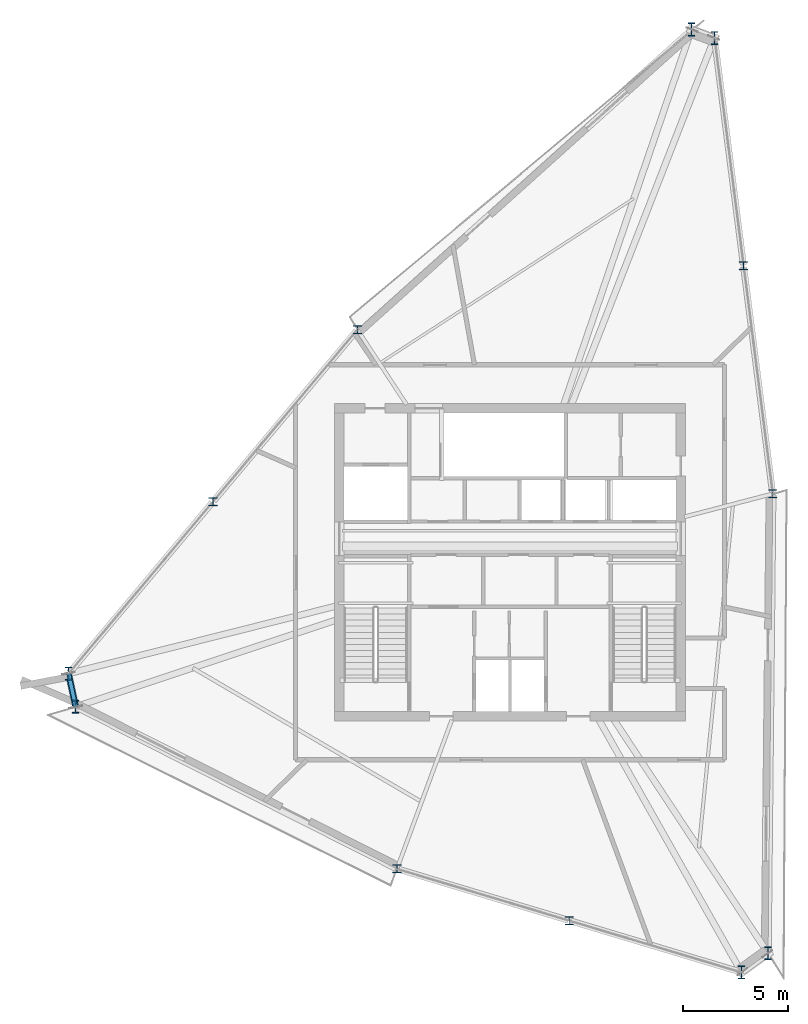
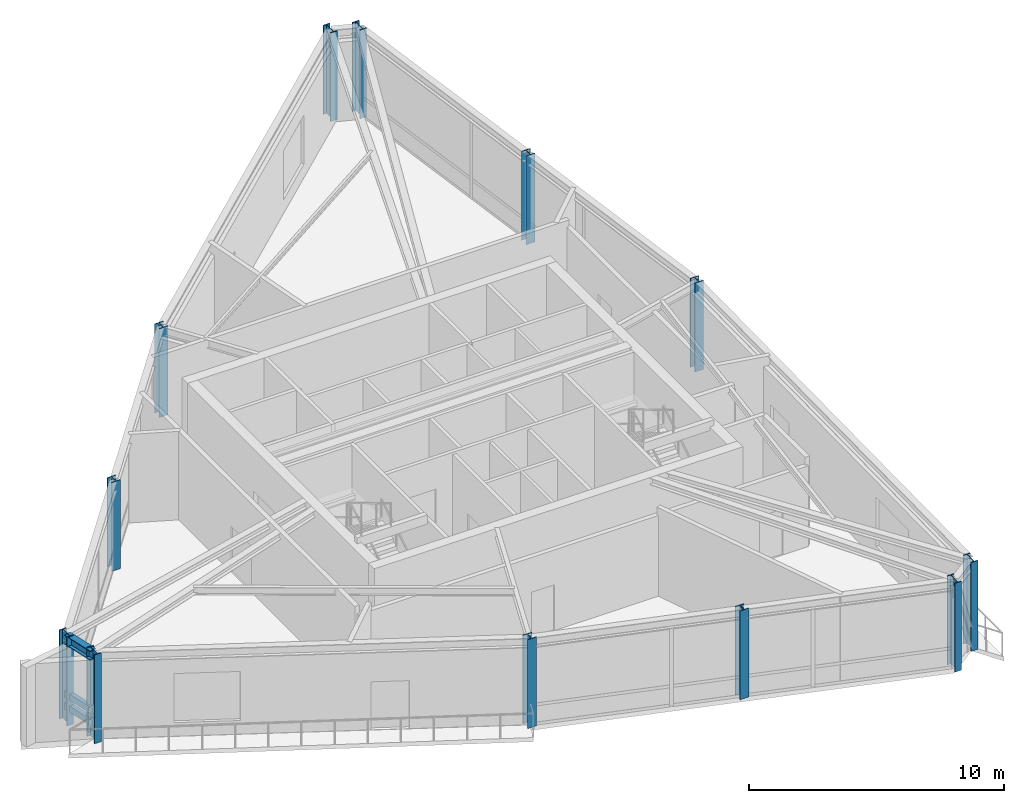
# One storey, part 1 of 23: 12 columns, 2 members, 1 beam.
"""IFC4 building model written with IfcOpenShell, lengths in metres."""

from ifc_helpers import new_model, si_unit, direction, frame, origin, origin_2d, place, context, subcontext, project, spatial, hollow_rectangle, i_section, extrude, source, transform, mapped, material, material_profile, profile_set, type_object, element, save


model = new_model("IFC4")

# Units and contexts
model_context = context("Model", 3, precision=1e-05, world=origin(), true_north=direction((0.0, 1.0)))
body_context = subcontext(model_context, "Body", "Model", "MODEL_VIEW")
ifc_project = project(units=[si_unit("LENGTHUNIT", "METRE"), si_unit("AREAUNIT", "SQUARE_METRE"), si_unit("VOLUMEUNIT", "CUBIC_METRE"), si_unit("PLANEANGLEUNIT", "RADIAN"), si_unit("MASSUNIT", "GRAM", prefix="KILO")], contexts=[model_context])

# Site, building, storey
site_placement = place(None, origin())
site = spatial("IfcSite", under=ifc_project, at=site_placement, CompositionType="ELEMENT")
building_placement = place(site_placement, origin())
building = spatial("IfcBuilding", under=site, at=building_placement, Name="Olszyna Solenne Hotel", CompositionType="ELEMENT")
storey_placement = place(building_placement, frame((0.0, 0.0, 290.5)))
storey = spatial("IfcBuildingStorey", under=building, at=storey_placement, Name="L77", CompositionType="ELEMENT", Elevation=290.5)

# Columns
ifc_material_1 = material(Name="Steel S460M", Category="steel")
ifc_material_profile_1 = material_profile(ifc_material_1, i_section(OverallWidth=0.304931640625, OverallDepth=0.6201171875, WebThickness=0.02099609375, FlangeThickness=0.0400390625, at=origin_2d()), Name="HEM 600", Category="load-bearing")
ifc_profile_set_1 = profile_set([ifc_material_profile_1], Name="Steel S460M")
column_type_1 = type_object("IfcColumnType", Name="COL-K3", PredefinedType="COLUMN", material=ifc_profile_set_1)
shared_shape_1 = source(origin(), body_context, "Body", "SweptSolid", [
    extrude(i_section(OverallWidth=0.304931640625, OverallDepth=0.6201171875, WebThickness=0.02099609375, FlangeThickness=0.0400390625, at=origin_2d()), origin(), (0.0, 0.0, 1.0), 4.2548828125),
])
for number, where, z_axis, x_axis, name in (
    (1, (47.73046875, 51.541015625, 0.0), (0.0, 0.0, 1.0), (1.0, 0.0, 0.0), "Perimeter framed-tube column COL-K3 C-L77-01"),
    (2, (46.6376953125, 51.9462890625, 0.0), (0.0, 0.0, 1.0), (1.0, 0.0, 0.0), "Perimeter framed-tube column COL-K3 C-L77-02"),
    (3, (16.998779296875, 21.30419921875, 0.0), (0.0, 0.0, 1.0), (1.0, 0.0, 0.0), "Perimeter framed-tube column COL-K3 C-L77-05"),
    (4, (17.33740234375, 19.724609375, 0.0), (0.0, 0.0, 1.0), (1.0, 0.0, 0.0), "Perimeter framed-tube column COL-K3 C-L77-06"),
    (5, (49.016845703125, 7.0869140625, 0.0), (0.0, 0.0, 1.0), (1.0, 0.0, 0.0), "Perimeter framed-tube column COL-K3 C-L77-09"),
    (6, (50.27880859375, 7.9970703125, 0.0), (0.0, 0.0, 1.0), (1.0, 0.0, 0.0), "Perimeter framed-tube column COL-K3 C-L77-10"),
):
    element("IfcColumn", number, at=place(storey_placement, frame(where, z_axis=z_axis, x_axis=x_axis)), inside=storey, type_object=column_type_1, Name=name, PredefinedType="COLUMN", context=body_context, shape_type="MappedRepresentation", body=[
        mapped(shared_shape_1, transform((0.0, 0.0, 0.0), x_axis=(1.0, 0.0, 0.0), y_axis=(0.0, 1.0, 0.0), z_axis=(0.0, 0.0, 1.0), scale=1.0)),
    ])
ifc_material_2 = material(Name="Steel S355J2", Category="steel")
ifc_material_profile_2 = material_profile(ifc_material_2, i_section(OverallWidth=0.39794921875, OverallDepth=0.386962890625, WebThickness=0.0185546875, FlangeThickness=0.029052734375, at=origin_2d()), Name="HD 400x262", Category="load-bearing")
ifc_profile_set_2 = profile_set([ifc_material_profile_2], Name="Steel S355J2")
column_type_2 = type_object("IfcColumnType", Name="COL-T6", PredefinedType="COLUMN", material=ifc_profile_set_2)
shared_shape_2 = source(origin(), body_context, "Body", "SweptSolid", [
    extrude(i_section(OverallWidth=0.39794921875, OverallDepth=0.386962890625, WebThickness=0.0185546875, FlangeThickness=0.029052734375, at=origin_2d()), origin(), (0.0, 0.0, 1.0), 4.2548828125),
])
for number, where, z_axis, x_axis, name in (
    (7, (30.739990234375, 37.668212890625, 0.0), (0.0, 0.0, 1.0), (1.0, 0.0, 0.0), "Perimeter framed-tube column COL-T6 C-L77-03"),
    (8, (23.869384765625, 29.486083984375, 0.0), (0.0, 0.0, 1.0), (1.0, 0.0, 0.0), "Perimeter framed-tube column COL-T6 C-L77-04"),
    (9, (32.621337890625, 12.012451171875, 0.0), (0.0, 0.0, 1.0), (1.0, 0.0, 0.0), "Perimeter framed-tube column COL-T6 C-L77-07"),
    (10, (40.819091796875, 9.549560546875, 0.0), (0.0, 0.0, 1.0), (1.0, 0.0, 0.0), "Perimeter framed-tube column COL-T6 C-L77-08"),
    (11, (50.502197265625, 29.856689453125, 0.0), (0.0, 0.0, 1.0), (1.0, 0.0, 0.0), "Perimeter framed-tube column COL-T6 C-L77-11"),
    (12, (49.1162109375, 40.69873046875, 0.0), (0.0, 0.0, 1.0), (1.0, 0.0, 0.0), "Perimeter framed-tube column COL-T6 C-L77-12"),
):
    element("IfcColumn", number, at=place(storey_placement, frame(where, z_axis=z_axis, x_axis=x_axis)), inside=storey, type_object=column_type_2, Name=name, PredefinedType="COLUMN", context=body_context, shape_type="MappedRepresentation", body=[
        mapped(shared_shape_2, transform((0.0, 0.0, 0.0), x_axis=(1.0, 0.0, 0.0), y_axis=(0.0, 1.0, 0.0), z_axis=(0.0, 0.0, 1.0), scale=1.0)),
    ])

# Beam
ifc_material_profile_3 = material_profile(ifc_material_2, i_section(OverallWidth=0.300048828125, OverallDepth=0.449951171875, WebThickness=0.013916015625, FlangeThickness=0.02587890625, at=origin_2d()), Name="HEB 450", Category="load-bearing")
ifc_profile_set_3 = profile_set([ifc_material_profile_3], Name="Steel S355J2")
beam_type = type_object("IfcBeamType", Name="BM-S4", PredefinedType="BEAM", material=ifc_profile_set_3)
shared_shape_3 = source(origin(), body_context, "Body", "SweptSolid", [
    extrude(i_section(OverallWidth=0.300048828125, OverallDepth=0.449951171875, WebThickness=0.013916015625, FlangeThickness=0.02587890625, at=origin_2d()), origin(), (0.0, 0.0, 1.0), 1.495361328125),
])
beam_placement = place(storey_placement, frame((17.011474609375, 21.24560546875, 4.014892578125), z_axis=(0.209629434519, -0.977780906023, 0.0), x_axis=(0.977780906023, 0.209629434519, 0.0)))
element("IfcBeam", 13, at=beam_placement, inside=storey, type_object=beam_type, Name="Perimeter spandrel beam BM-S4 B-L77-2256", PredefinedType="BEAM", context=body_context, shape_type="MappedRepresentation", body=[
    mapped(shared_shape_3, transform((0.0, 0.0, 0.0), x_axis=(1.0, 0.0, 0.0), y_axis=(0.0, 1.0, 0.0), z_axis=(0.0, 0.0, 1.0), scale=1.0)),
])

# Members
ifc_material_profile_4 = material_profile(ifc_material_2, hollow_rectangle(XDim=0.199951171875, YDim=0.300048828125, WallThickness=0.01611328125, at=origin_2d()), Name="RHS 300x200x16", Category="load-bearing")
ifc_profile_set_4 = profile_set([ifc_material_profile_4], Name="Steel S355J2")
member_type = type_object("IfcMemberType", Name="CH-PR1", PredefinedType="CHORD", material=ifc_profile_set_4)
shared_shape_4 = source(origin(), body_context, "Body", "SweptSolid", [
    extrude(hollow_rectangle(XDim=0.199951171875, YDim=0.300048828125, WallThickness=0.01611328125, at=origin_2d()), origin(), (0.0, 0.0, 1.0), 1.615478515625),
])
for number, where, z_axis, x_axis, name in (
    (14, (16.998779296875, 21.30419921875, 1.35009765625), (0.209611654341, -0.977784717801, 0.0), (0.977784717801, 0.209611654341, 0.0), "Glass-prism tie chord CH-PR1 M-L77-PR1"),
    (15, (16.998779296875, 21.30419921875, 0.780029296875), (0.209611654341, -0.977784717801, 0.0), (0.977784717801, 0.209611654341, 0.0), "Glass-prism tie chord CH-PR1 M-L77-PR2"),
):
    element("IfcMember", number, at=place(storey_placement, frame(where, z_axis=z_axis, x_axis=x_axis)), inside=storey, type_object=member_type, Name=name, PredefinedType="CHORD", context=body_context, shape_type="MappedRepresentation", body=[
        mapped(shared_shape_4, transform((0.0, 0.0, 0.0), x_axis=(1.0, 0.0, 0.0), y_axis=(0.0, 1.0, 0.0), z_axis=(0.0, 0.0, 1.0), scale=1.0)),
    ])

save(model, "model.ifc")
